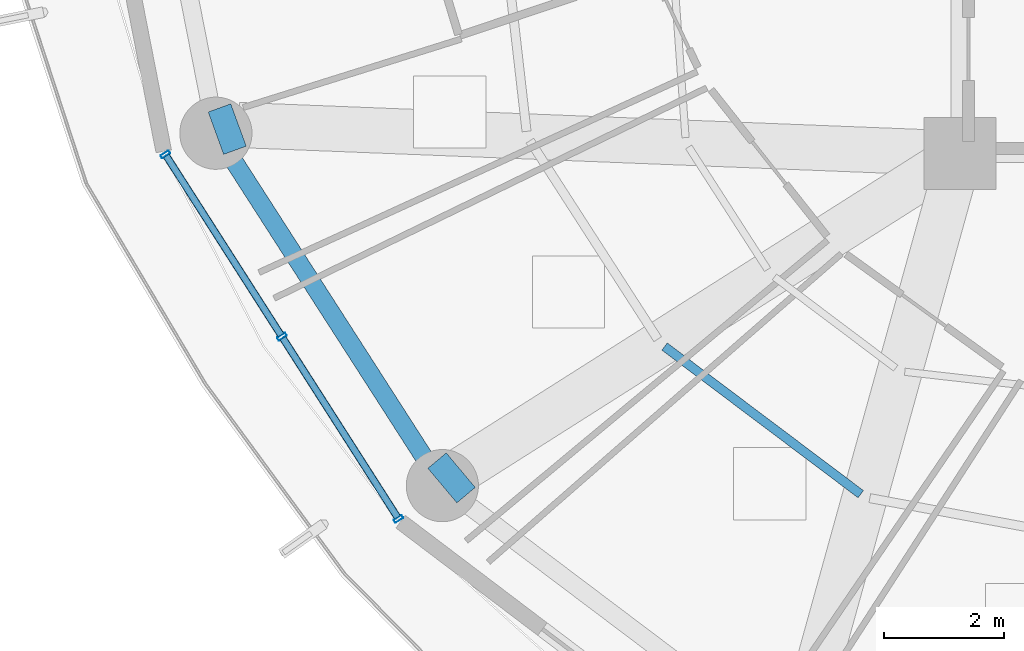
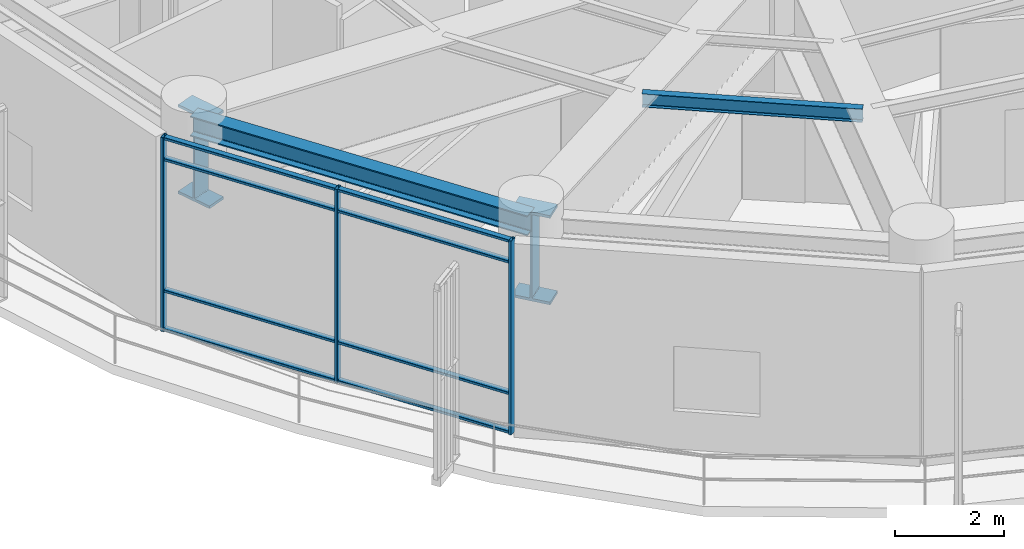
# One storey, part 2 of 28: 11 members, 4 beams, 1 element without a shape of its own.
"""IFC4 building model written with IfcOpenShell, lengths in metres."""

from ifc_helpers import new_model, si_unit, direction, frame, origin, origin_2d, place, context, subcontext, project, spatial, hollow_rectangle, i_section, extrude, material, layer, layer_set, material_profile, profile_set, type_object, element, aggregate, save


model = new_model("IFC4")

# Units and contexts
model_context = context("Model", 3, precision=1e-05, world=origin(), true_north=direction((0.0, 1.0)))
body_context = subcontext(model_context, "Body", "Model", "MODEL_VIEW")
ifc_project = project(units=[si_unit("LENGTHUNIT", "METRE"), si_unit("AREAUNIT", "SQUARE_METRE"), si_unit("VOLUMEUNIT", "CUBIC_METRE"), si_unit("PLANEANGLEUNIT", "RADIAN"), si_unit("MASSUNIT", "GRAM", prefix="KILO")], contexts=[model_context])

# Site, building, storey
site_placement = place(None, origin())
site = spatial("IfcSite", under=ifc_project, at=site_placement, CompositionType="ELEMENT")
building_placement = place(site_placement, origin())
building = spatial("IfcBuilding", under=site, at=building_placement, Name="Kelanora Arch Commons", CompositionType="ELEMENT")
storey_placement = place(building_placement, frame((0.0, 0.0, 184.35009765625)))
storey = spatial("IfcBuildingStorey", under=building, at=storey_placement, Name="L47", CompositionType="ELEMENT", Elevation=184.35009765625)

# Beams
ifc_material_1 = material(Name="Steel S355", Category="steel")
ifc_material_profile_1 = material_profile(ifc_material_1, i_section(OverallWidth=0.14990234375, OverallDepth=0.300048828125, WebThickness=0.007080078125, FlangeThickness=0.0107421875, FilletRadius=0.014892578125, at=origin_2d()), Name="IPE300")
ifc_profile_set_1 = profile_set([ifc_material_profile_1], Name="Steel S355")
beam_type_1 = type_object("IfcBeamType", Name="BM-JST-01", PredefinedType="JOIST", material=ifc_profile_set_1)
beam_1_placement = place(storey_placement, frame((61.087158203125, 47.790283203125, 4.2099609375), z_axis=(0.799101708656, -0.601195857624, 0.0), x_axis=(0.601195857624, 0.799101708656, 0.0)))
element("IfcBeam", 1, at=beam_1_placement, inside=storey, type_object=beam_type_1, Name="Secondary Chord Joist BJB-22 L47", PredefinedType="JOIST", context=body_context, shape_type="SweptSolid", body=[
    extrude(i_section(OverallWidth=0.14990234375, OverallDepth=0.300048828125, WebThickness=0.007080078125, FlangeThickness=0.0107421875, FilletRadius=0.014892578125, at=origin_2d()), origin(), (0.0, 0.0, 1.0), 4.080810546875),
])
ifc_material_profile_2 = material_profile(ifc_material_1, i_section(OverallWidth=0.300048828125, OverallDepth=0.449951171875, WebThickness=0.013916015625, FlangeThickness=0.02587890625, FilletRadius=0.027099609375, at=origin_2d()), Name="HEB450")
ifc_profile_set_2 = profile_set([ifc_material_profile_2], Name="Steel S355")
beam_type_2 = type_object("IfcBeamType", Name="BM-SPN-Z3", PredefinedType="SPANDREL", material=ifc_profile_set_2)
beam_2_placement = place(storey_placement, frame((53.62744140625, 51.33740234375, 4.135009765625), z_axis=(0.540576852469, -0.841294637196, 0.0), x_axis=(0.841294637196, 0.540576852469, 0.0)))
element("IfcBeam", 2, at=beam_2_placement, inside=storey, type_object=beam_type_2, Name="Perimeter Spandrel Beam BS-20 L47", PredefinedType="SPANDREL", context=body_context, shape_type="SweptSolid", body=[
    extrude(i_section(OverallWidth=0.300048828125, OverallDepth=0.449951171875, WebThickness=0.013916015625, FlangeThickness=0.02587890625, FilletRadius=0.027099609375, at=origin_2d()), origin(), (0.0, 0.0, 1.0), 6.964111328125),
])
ifc_material_profile_3 = material_profile(ifc_material_1, i_section(OverallWidth=0.75, OverallDepth=2.0, WebThickness=0.034912109375, FlangeThickness=0.06005859375, FilletRadius=0.028076171875, at=origin_2d()), Name="PG2000x750")
ifc_profile_set_3 = profile_set([ifc_material_profile_3], Name="Steel S355")
beam_type_3 = type_object("IfcBeamType", Name="BM-XFER-SET", PredefinedType="USERDEFINED", material=ifc_profile_set_3)
beam_3_placement = place(storey_placement, frame((54.00341796875, 51.474365234375, 3.35986328125), z_axis=(-0.939597315436, -0.342281879195, 0.0), x_axis=(0.342281879195, -0.939597315436, 0.0)))
element("IfcBeam", 3, at=beam_3_placement, inside=storey, type_object=beam_type_3, Name="Radial Floor Girder BR-20 L47", ObjectType="TRANSFER_GIRDER", PredefinedType="USERDEFINED", context=body_context, shape_type="SweptSolid", body=[
    extrude(i_section(OverallWidth=0.75, OverallDepth=2.0, WebThickness=0.034912109375, FlangeThickness=0.06005859375, FilletRadius=0.028076171875, at=origin_2d()), origin(), (0.0, 0.0, 1.0), 0.400146484375),
])
beam_4_placement = place(storey_placement, frame((57.698486328125, 45.735595703125, 3.35986328125), z_axis=(-0.766065493671, -0.642762521781, 0.0), x_axis=(0.642762521781, -0.766065493671, 0.0)))
element("IfcBeam", 4, at=beam_4_placement, inside=storey, type_object=beam_type_3, Name="Radial Floor Girder BR-22 L47", ObjectType="TRANSFER_GIRDER", PredefinedType="USERDEFINED", context=body_context, shape_type="SweptSolid", body=[
    extrude(i_section(OverallWidth=0.75, OverallDepth=2.0, WebThickness=0.034912109375, FlangeThickness=0.06005859375, FilletRadius=0.028076171875, at=origin_2d()), origin(), (0.0, 0.0, 1.0), 0.39990234375),
])

# Curtain wall, members
ifc_material_2 = material(Name="Terracotta ceramic-fritted low-E glass and aluminium", Category="masonry")
ifc_layer = layer(ifc_material_2, 0.175048828125)
ifc_layer_set = layer_set([ifc_layer], Name="Terracotta ceramic-fritted low-E glass and aluminium")
curtain_wall_type = type_object("IfcCurtainWallType", Name="CW-SYS-02", PredefinedType="NOTDEFINED", material=ifc_layer_set)
curtain_wall_placement = place(storey_placement, origin())
curtain_wall = element("IfcCurtainWall", 5, at=curtain_wall_placement, inside=storey, type_object=curtain_wall_type, Name="Unitised Curtain Wall L47-B10", PredefinedType="NOTDEFINED")
ifc_material_3 = material(Name="Powder-coated aluminium terracotta", Category="masonry")
ifc_material_profile_4 = material_profile(ifc_material_3, hollow_rectangle(XDim=0.159912109375, YDim=0.06005859375, WallThickness=0.0048828125, InnerFilletRadius=0.0048828125, OuterFilletRadius=0.010009765625, at=origin_2d()), Name="CWM160x60")
ifc_profile_set_4 = profile_set([ifc_material_profile_4], Name="Powder-coated aluminium terracotta")
member_type_1 = type_object("IfcMemberType", Name="CWM-STD", PredefinedType="MULLION", material=ifc_profile_set_4)
member_1_placement = place(storey_placement, frame((52.787109375, 50.98486328125, 0.0), z_axis=(0.0, 0.0, 1.0), x_axis=(0.842422846546, 0.538816988983, 0.0)))
member_1 = element("IfcMember", 6, at=member_1_placement, type_object=member_type_1, Name="CW-02 mullion 1", PredefinedType="MULLION", context=body_context, shape_type="SweptSolid", body=[
    extrude(hollow_rectangle(XDim=0.159912109375, YDim=0.06005859375, WallThickness=0.0048828125, InnerFilletRadius=0.0048828125, OuterFilletRadius=0.010009765625, at=origin_2d()), origin(), (0.0, 0.0, 1.0), 4.344970703125),
])
member_2_placement = place(storey_placement, frame((54.72509765625, 47.954833984375, 0.0), z_axis=(0.0, 0.0, 1.0), x_axis=(0.842422846546, 0.538816988983, 0.0)))
member_2 = element("IfcMember", 7, at=member_2_placement, type_object=member_type_1, Name="CW-02 mullion 2", PredefinedType="MULLION", context=body_context, shape_type="SweptSolid", body=[
    extrude(hollow_rectangle(XDim=0.159912109375, YDim=0.06005859375, WallThickness=0.0048828125, InnerFilletRadius=0.0048828125, OuterFilletRadius=0.010009765625, at=origin_2d()), origin(), (0.0, 0.0, 1.0), 4.344970703125),
])
member_3_placement = place(storey_placement, frame((56.6630859375, 44.925048828125, 0.0), z_axis=(0.0, 0.0, 1.0), x_axis=(0.842422846546, 0.538816988983, 0.0)))
member_3 = element("IfcMember", 8, at=member_3_placement, type_object=member_type_1, Name="CW-02 mullion 3", PredefinedType="MULLION", context=body_context, shape_type="SweptSolid", body=[
    extrude(hollow_rectangle(XDim=0.159912109375, YDim=0.06005859375, WallThickness=0.0048828125, InnerFilletRadius=0.0048828125, OuterFilletRadius=0.010009765625, at=origin_2d()), origin(), (0.0, 0.0, 1.0), 4.344970703125),
])
ifc_material_profile_5 = material_profile(ifc_material_3, hollow_rectangle(XDim=0.1201171875, YDim=0.06005859375, WallThickness=0.0048828125, InnerFilletRadius=0.0048828125, OuterFilletRadius=0.010009765625, at=origin_2d()), Name="CWT120x60")
ifc_profile_set_5 = profile_set([ifc_material_profile_5], Name="Powder-coated aluminium terracotta")
member_type_2 = type_object("IfcMemberType", Name="CWT-STD", PredefinedType="USERDEFINED", material=ifc_profile_set_5)
member_4_placement = place(storey_placement, frame((52.80322265625, 50.959716796875, 0.02978515625), z_axis=(0.53883037555, -0.842414284295, 0.0), x_axis=(0.842414284295, 0.53883037555, 0.0)))
member_4 = element("IfcMember", 9, at=member_4_placement, type_object=member_type_2, Name="CW-02 transom 1.1", ObjectType="TRANSOM", PredefinedType="USERDEFINED", context=body_context, shape_type="SweptSolid", body=[
    extrude(hollow_rectangle(XDim=0.1201171875, YDim=0.06005859375, WallThickness=0.0048828125, InnerFilletRadius=0.0048828125, OuterFilletRadius=0.010009765625, at=origin_2d()), origin(), (0.0, 0.0, 1.0), 3.536865234375),
])
member_5_placement = place(storey_placement, frame((52.80322265625, 50.959716796875, 0.89990234375), z_axis=(0.53883037555, -0.842414284295, 0.0), x_axis=(0.842414284295, 0.53883037555, 0.0)))
member_5 = element("IfcMember", 10, at=member_5_placement, type_object=member_type_2, Name="CW-02 transom 1.2", ObjectType="TRANSOM", PredefinedType="USERDEFINED", context=body_context, shape_type="SweptSolid", body=[
    extrude(hollow_rectangle(XDim=0.1201171875, YDim=0.06005859375, WallThickness=0.0048828125, InnerFilletRadius=0.0048828125, OuterFilletRadius=0.010009765625, at=origin_2d()), origin(), (0.0, 0.0, 1.0), 3.536865234375),
])
member_6_placement = place(storey_placement, frame((52.80322265625, 50.959716796875, 3.844970703125), z_axis=(0.53883037555, -0.842414284295, 0.0), x_axis=(0.842414284295, 0.53883037555, 0.0)))
member_6 = element("IfcMember", 11, at=member_6_placement, type_object=member_type_2, Name="CW-02 transom 1.3", ObjectType="TRANSOM", PredefinedType="USERDEFINED", context=body_context, shape_type="SweptSolid", body=[
    extrude(hollow_rectangle(XDim=0.1201171875, YDim=0.06005859375, WallThickness=0.0048828125, InnerFilletRadius=0.0048828125, OuterFilletRadius=0.010009765625, at=origin_2d()), origin(), (0.0, 0.0, 1.0), 3.536865234375),
])
member_7_placement = place(storey_placement, frame((52.80322265625, 50.959716796875, 4.31494140625), z_axis=(0.53883037555, -0.842414284295, 0.0), x_axis=(0.842414284295, 0.53883037555, 0.0)))
member_7 = element("IfcMember", 12, at=member_7_placement, type_object=member_type_2, Name="CW-02 transom 1.4", ObjectType="TRANSOM", PredefinedType="USERDEFINED", context=body_context, shape_type="SweptSolid", body=[
    extrude(hollow_rectangle(XDim=0.1201171875, YDim=0.06005859375, WallThickness=0.0048828125, InnerFilletRadius=0.0048828125, OuterFilletRadius=0.010009765625, at=origin_2d()), origin(), (0.0, 0.0, 1.0), 3.536865234375),
])
member_8_placement = place(storey_placement, frame((54.7412109375, 47.9296875, 0.02978515625), z_axis=(0.53883037555, -0.842414284295, 0.0), x_axis=(0.842414284295, 0.53883037555, 0.0)))
member_8 = element("IfcMember", 13, at=member_8_placement, type_object=member_type_2, Name="CW-02 transom 2.1", ObjectType="TRANSOM", PredefinedType="USERDEFINED", context=body_context, shape_type="SweptSolid", body=[
    extrude(hollow_rectangle(XDim=0.1201171875, YDim=0.06005859375, WallThickness=0.0048828125, InnerFilletRadius=0.0048828125, OuterFilletRadius=0.010009765625, at=origin_2d()), origin(), (0.0, 0.0, 1.0), 3.536865234375),
])
member_9_placement = place(storey_placement, frame((54.7412109375, 47.9296875, 0.89990234375), z_axis=(0.53883037555, -0.842414284295, 0.0), x_axis=(0.842414284295, 0.53883037555, 0.0)))
member_9 = element("IfcMember", 14, at=member_9_placement, type_object=member_type_2, Name="CW-02 transom 2.2", ObjectType="TRANSOM", PredefinedType="USERDEFINED", context=body_context, shape_type="SweptSolid", body=[
    extrude(hollow_rectangle(XDim=0.1201171875, YDim=0.06005859375, WallThickness=0.0048828125, InnerFilletRadius=0.0048828125, OuterFilletRadius=0.010009765625, at=origin_2d()), origin(), (0.0, 0.0, 1.0), 3.536865234375),
])
member_10_placement = place(storey_placement, frame((54.7412109375, 47.9296875, 3.844970703125), z_axis=(0.53883037555, -0.842414284295, 0.0), x_axis=(0.842414284295, 0.53883037555, 0.0)))
member_10 = element("IfcMember", 15, at=member_10_placement, type_object=member_type_2, Name="CW-02 transom 2.3", ObjectType="TRANSOM", PredefinedType="USERDEFINED", context=body_context, shape_type="SweptSolid", body=[
    extrude(hollow_rectangle(XDim=0.1201171875, YDim=0.06005859375, WallThickness=0.0048828125, InnerFilletRadius=0.0048828125, OuterFilletRadius=0.010009765625, at=origin_2d()), origin(), (0.0, 0.0, 1.0), 3.536865234375),
])
member_11_placement = place(storey_placement, frame((54.7412109375, 47.9296875, 4.31494140625), z_axis=(0.53883037555, -0.842414284295, 0.0), x_axis=(0.842414284295, 0.53883037555, 0.0)))
member_11 = element("IfcMember", 16, at=member_11_placement, type_object=member_type_2, Name="CW-02 transom 2.4", ObjectType="TRANSOM", PredefinedType="USERDEFINED", context=body_context, shape_type="SweptSolid", body=[
    extrude(hollow_rectangle(XDim=0.1201171875, YDim=0.06005859375, WallThickness=0.0048828125, InnerFilletRadius=0.0048828125, OuterFilletRadius=0.010009765625, at=origin_2d()), origin(), (0.0, 0.0, 1.0), 3.536865234375),
])
aggregate(curtain_wall, [member_1, member_2, member_3, member_4, member_5, member_6, member_7, member_8, member_9, member_10, member_11])

save(model, "model.ifc")
